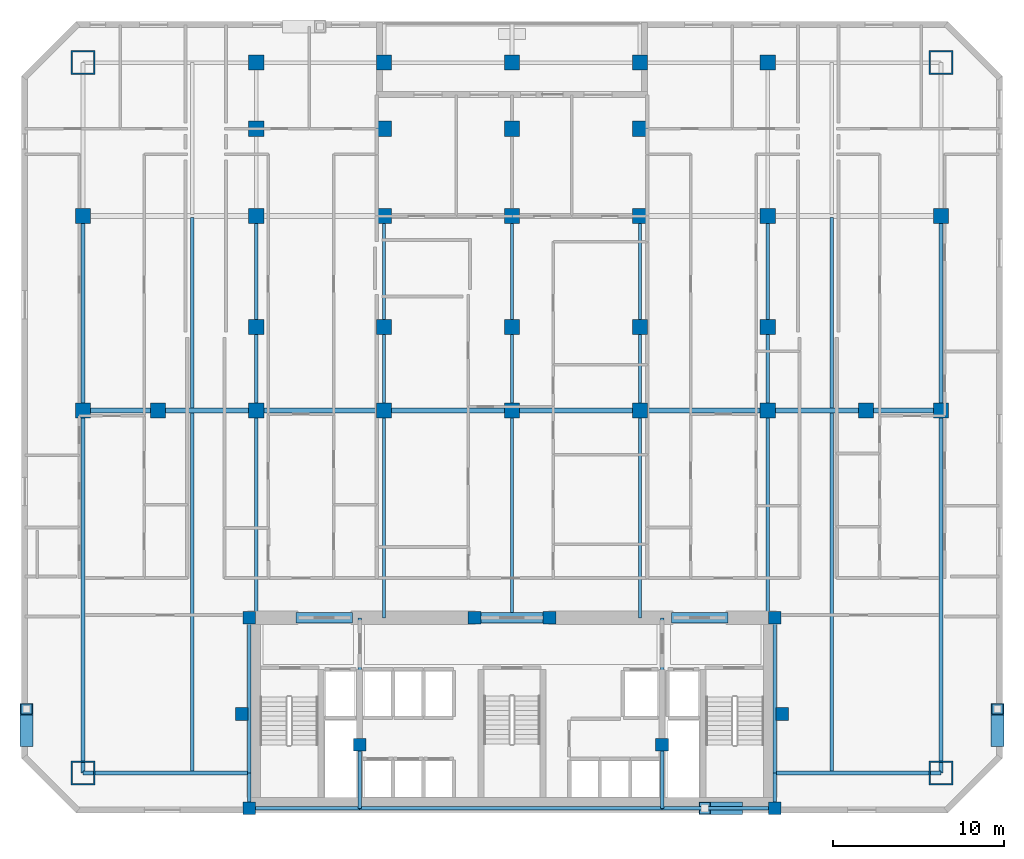
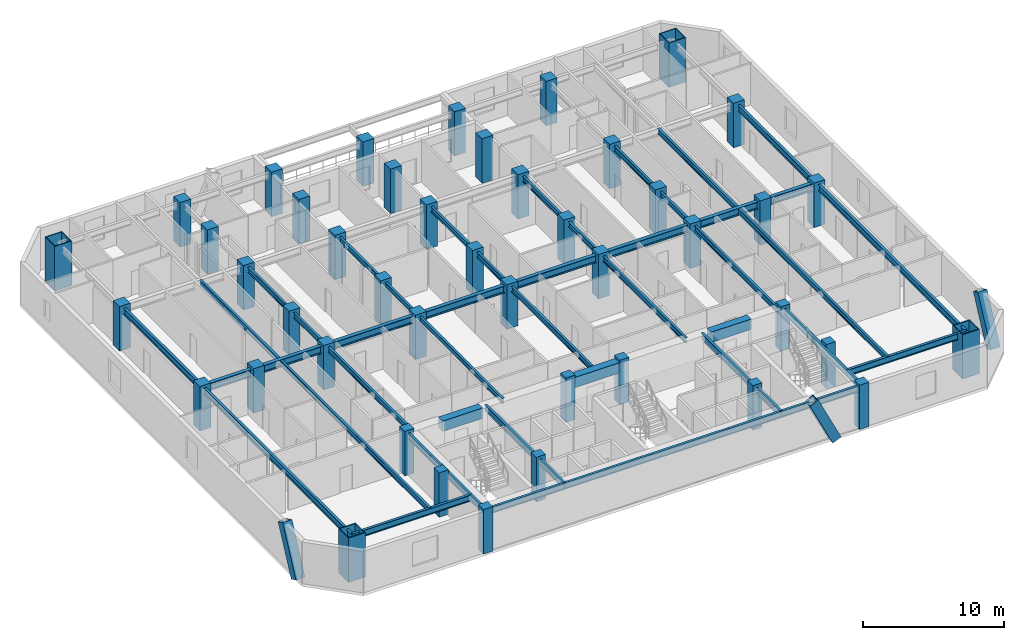
# One storey, part 1 of 10: 44 columns, 42 beams, 3 members.
"""IFC4 building model written with IfcOpenShell, lengths in metres."""

from ifc_helpers import new_model, si_unit, direction, frame, origin, origin_2d, place, context, subcontext, project, spatial, rectangle, hollow_rectangle, i_section, extrude, material, material_profile, profile_set, type_object, element, save


model = new_model("IFC4")

# Units and contexts
model_context = context("Model", 3, precision=1e-05, world=origin(), true_north=direction((0.0, 1.0)))
body_context = subcontext(model_context, "Body", "Model", "MODEL_VIEW")
ifc_project = project(units=[si_unit("LENGTHUNIT", "METRE"), si_unit("AREAUNIT", "SQUARE_METRE"), si_unit("VOLUMEUNIT", "CUBIC_METRE"), si_unit("PLANEANGLEUNIT", "RADIAN"), si_unit("MASSUNIT", "GRAM", prefix="KILO")], contexts=[model_context])

# Site, building, storey
site_placement = place(None, origin())
site = spatial("IfcSite", under=ifc_project, at=site_placement, CompositionType="ELEMENT")
building_placement = place(site_placement, origin())
building = spatial("IfcBuilding", under=site, at=building_placement, Name="Ventersveld Concourse Tower", CompositionType="ELEMENT")
storey_placement = place(building_placement, frame((0.0, 0.0, 64.449951171875)))
storey = spatial("IfcBuildingStorey", under=building, at=storey_placement, Name="L15", CompositionType="ELEMENT", Elevation=64.449951171875)

# Columns
ifc_material_1 = material(Name="Concrete C50/60", Category="concrete")
ifc_material_profile_1 = material_profile(ifc_material_1, rectangle(XDim=0.75, YDim=0.75, at=origin_2d()), Name="RC 750x750")
ifc_profile_set_1 = profile_set([ifc_material_profile_1], Name="Concrete C50/60")
column_type_1 = type_object("IfcColumnType", Name="COL-RC750", PredefinedType="COLUMN", material=ifc_profile_set_1)
for number, where, z_axis, x_axis, name in (
    (1, (13.35009765625, 0.280029296875, 0.0), (0.0, 0.0, 1.0), (1.0, 0.0, 0.0), "L15 Core Spine Column CC-SW"),
    (2, (44.14990234375, 0.280029296875, 0.0), (0.0, 0.0, 1.0), (1.0, 0.0, 0.0), "L15 Core Spine Column CC-SE"),
    (3, (13.35009765625, 11.449951171875, 0.0), (0.0, 0.0, 1.0), (1.0, 0.0, 0.0), "L15 Core Spine Column CC-NW"),
    (4, (44.14990234375, 11.449951171875, 0.0), (0.0, 0.0, 1.0), (1.0, 0.0, 0.0), "L15 Core Spine Column CC-NE"),
    (5, (19.820068359375, 4.0, 0.0), (0.0, 0.0, 1.0), (1.0, 0.0, 0.0), "L15 Core Spine Column CM-1"),
    (6, (37.550048828125, 4.0, 0.0), (0.0, 0.0, 1.0), (1.0, 0.0, 0.0), "L15 Core Spine Column CM-2"),
    (7, (26.550048828125, 11.449951171875, 0.0), (0.0, 0.0, 1.0), (1.0, 0.0, 0.0), "L15 Core Spine Column CM-3"),
    (8, (30.949951171875, 11.449951171875, 0.0), (0.0, 0.0, 1.0), (1.0, 0.0, 0.0), "L15 Core Spine Column CM-4"),
):
    element("IfcColumn", number, at=place(storey_placement, frame(where, z_axis=z_axis, x_axis=x_axis)), inside=storey, type_object=column_type_1, Name=name, PredefinedType="COLUMN", context=body_context, shape_type="SweptSolid", body=[
        extrude(rectangle(XDim=0.75, YDim=0.75, at=origin_2d()), origin(), (0.0, 0.0, 1.0), 3.85009765625),
    ])
ifc_material_2 = material(Name="Concrete C60/75", Category="concrete")
ifc_material_profile_2 = material_profile(ifc_material_2, rectangle(XDim=0.89990234375, YDim=0.89990234375, at=origin_2d()), Name="RC 900x900")
ifc_profile_set_2 = profile_set([ifc_material_profile_2], Name="Concrete C60/75")
column_type_2 = type_object("IfcColumnType", Name="COL-RC900", PredefinedType="COLUMN", material=ifc_profile_set_2)
for number, where, z_axis, x_axis, name in (
    (9, (3.60009765625, 23.60009765625, 0.0), (0.0, 0.0, 1.0), (1.0, 0.0, 0.0), "L15 Interior Gravity Column X=3.60 Y=23.60"),
    (10, (8.0, 23.60009765625, 0.0), (0.0, 0.0, 1.0), (1.0, 0.0, 0.0), "L15 Interior Gravity Column X=8.00 Y=23.60"),
    (11, (13.75, 23.60009765625, 0.0), (0.0, 0.0, 1.0), (1.0, 0.0, 0.0), "L15 Interior Gravity Column X=13.75 Y=23.60"),
    (12, (21.25, 23.60009765625, 0.0), (0.0, 0.0, 1.0), (1.0, 0.0, 0.0), "L15 Interior Gravity Column X=21.25 Y=23.60"),
    (13, (28.75, 23.60009765625, 0.0), (0.0, 0.0, 1.0), (1.0, 0.0, 0.0), "L15 Interior Gravity Column X=28.75 Y=23.60"),
    (14, (36.25, 23.60009765625, 0.0), (0.0, 0.0, 1.0), (1.0, 0.0, 0.0), "L15 Interior Gravity Column X=36.25 Y=23.60"),
    (15, (43.75, 23.60009765625, 0.0), (0.0, 0.0, 1.0), (1.0, 0.0, 0.0), "L15 Interior Gravity Column X=43.75 Y=23.60"),
    (16, (49.5, 23.60009765625, 0.0), (0.0, 0.0, 1.0), (1.0, 0.0, 0.0), "L15 Interior Gravity Column X=49.50 Y=23.60"),
    (17, (53.89990234375, 23.60009765625, 0.0), (0.0, 0.0, 1.0), (1.0, 0.0, 0.0), "L15 Interior Gravity Column X=53.90 Y=23.60"),
    (18, (13.75, 28.5, 0.0), (0.0, 0.0, 1.0), (1.0, 0.0, 0.0), "L15 Upper-North Gravity Column X=13.75 Y=28.50"),
    (19, (21.25, 28.5, 0.0), (0.0, 0.0, 1.0), (1.0, 0.0, 0.0), "L15 Upper-North Gravity Column X=21.25 Y=28.50"),
    (20, (28.75, 28.5, 0.0), (0.0, 0.0, 1.0), (1.0, 0.0, 0.0), "L15 Upper-North Gravity Column X=28.75 Y=28.50"),
    (21, (36.25, 28.5, 0.0), (0.0, 0.0, 1.0), (1.0, 0.0, 0.0), "L15 Upper-North Gravity Column X=36.25 Y=28.50"),
    (22, (43.75, 28.5, 0.0), (0.0, 0.0, 1.0), (1.0, 0.0, 0.0), "L15 Upper-North Gravity Column X=43.75 Y=28.50"),
    (23, (3.60009765625, 35.0, 0.0), (0.0, 0.0, 1.0), (1.0, 0.0, 0.0), "L15 Flank Column X=3.60 Y=35.00"),
    (24, (53.89990234375, 35.0, 0.0), (0.0, 0.0, 1.0), (1.0, 0.0, 0.0), "L15 Flank Column X=53.90 Y=35.00"),
    (25, (13.75, 44.0, 0.0), (0.0, 0.0, 1.0), (1.0, 0.0, 0.0), "L15 North Perimeter Column X=13.75 Y=44.00"),
    (26, (21.25, 44.0, 0.0), (0.0, 0.0, 1.0), (1.0, 0.0, 0.0), "L15 North Perimeter Column X=21.25 Y=44.00"),
    (27, (28.75, 44.0, 0.0), (0.0, 0.0, 1.0), (1.0, 0.0, 0.0), "L15 North Perimeter Column X=28.75 Y=44.00"),
    (28, (36.25, 44.0, 0.0), (0.0, 0.0, 1.0), (1.0, 0.0, 0.0), "L15 North Perimeter Column X=36.25 Y=44.00"),
    (29, (43.75, 44.0, 0.0), (0.0, 0.0, 1.0), (1.0, 0.0, 0.0), "L15 North Perimeter Column X=43.75 Y=44.00"),
    (30, (13.75, 40.1201171875, 0.0), (0.0, 0.0, 1.0), (1.0, 0.0, 0.0), "L15 North Brace Node Column X=13.75 Y=40.12"),
    (31, (21.25, 40.1201171875, 0.0), (0.0, 0.0, 1.0), (1.0, 0.0, 0.0), "L15 North Brace Node Column X=21.25 Y=40.12"),
    (32, (28.75, 40.1201171875, 0.0), (0.0, 0.0, 1.0), (1.0, 0.0, 0.0), "L15 North Brace Node Column X=28.75 Y=40.12"),
    (33, (36.25, 40.1201171875, 0.0), (0.0, 0.0, 1.0), (1.0, 0.0, 0.0), "L15 North Brace Node Column X=36.25 Y=40.12"),
    (34, (13.75, 35.0, 0.0), (0.0, 0.0, 1.0), (1.0, 0.0, 0.0), "L15 Mid-North Column X=13.75 Y=35.00"),
    (35, (21.25, 35.0, 0.0), (0.0, 0.0, 1.0), (1.0, 0.0, 0.0), "L15 Mid-North Column X=21.25 Y=35.00"),
    (36, (28.75, 35.0, 0.0), (0.0, 0.0, 1.0), (1.0, 0.0, 0.0), "L15 Mid-North Column X=28.75 Y=35.00"),
    (37, (36.25, 35.0, 0.0), (0.0, 0.0, 1.0), (1.0, 0.0, 0.0), "L15 Mid-North Column X=36.25 Y=35.00"),
    (38, (43.75, 35.0, 0.0), (0.0, 0.0, 1.0), (1.0, 0.0, 0.0), "L15 Mid-North Column X=43.75 Y=35.00"),
):
    element("IfcColumn", number, at=place(storey_placement, frame(where, z_axis=z_axis, x_axis=x_axis)), inside=storey, type_object=column_type_2, Name=name, PredefinedType="COLUMN", context=body_context, shape_type="SweptSolid", body=[
        extrude(rectangle(XDim=0.89990234375, YDim=0.89990234375, at=origin_2d()), origin(), (0.0, 0.0, 1.0), 3.85009765625),
    ])
ifc_material_3 = material(Name="Structural steel S460ML", Category="steel")
ifc_material_profile_3 = material_profile(ifc_material_3, hollow_rectangle(XDim=1.39990234375, YDim=1.39990234375, WallThickness=0.080078125, at=origin_2d()), Name="BOX 1400x1400x80")
ifc_profile_set_3 = profile_set([ifc_material_profile_3], Name="Structural steel S460ML")
column_type_3 = type_object("IfcColumnType", Name="MC-1400", PredefinedType="USERDEFINED", material=ifc_profile_set_3)
for number, where, z_axis, x_axis, name in (
    (39, (3.60009765625, 2.35009765625, 0.0), (0.0, 0.0, 1.0), (1.0, 0.0, 0.0), "L15 Corner Mega-Column MC-SW"),
    (40, (53.89990234375, 2.35009765625, 0.0), (0.0, 0.0, 1.0), (1.0, 0.0, 0.0), "L15 Corner Mega-Column MC-SE"),
    (41, (53.89990234375, 44.0, 0.0), (0.0, 0.0, 1.0), (1.0, 0.0, 0.0), "L15 Corner Mega-Column MC-NE"),
    (42, (3.60009765625, 44.0, 0.0), (0.0, 0.0, 1.0), (1.0, 0.0, 0.0), "L15 Corner Mega-Column MC-NW"),
):
    element("IfcColumn", number, at=place(storey_placement, frame(where, z_axis=z_axis, x_axis=x_axis)), inside=storey, type_object=column_type_3, Name=name, ObjectType="MEGA_COLUMN", PredefinedType="USERDEFINED", context=body_context, shape_type="SweptSolid", body=[
        extrude(hollow_rectangle(XDim=1.39990234375, YDim=1.39990234375, WallThickness=0.080078125, at=origin_2d()), origin(), (0.0, 0.0, 1.0), 3.85009765625),
    ])
ifc_material_profile_4 = material_profile(ifc_material_1, rectangle(XDim=0.75, YDim=0.75, at=origin_2d()), Name="RC 750x750")
ifc_profile_set_4 = profile_set([ifc_material_profile_4], Name="Concrete C50/60")
column_type_4 = type_object("IfcColumnType", Name="PIL-RC750", PredefinedType="PILASTER", material=ifc_profile_set_4)
for number, where, z_axis, x_axis, name in (
    (43, (12.89990234375, 5.800048828125, 0.0), (0.0, 0.0, 1.0), (1.0, 0.0, 0.0), "L15 Core Engaged Pilaster PIL-W"),
    (44, (44.60009765625, 5.800048828125, 0.0), (0.0, 0.0, 1.0), (1.0, 0.0, 0.0), "L15 Core Engaged Pilaster PIL-E"),
):
    element("IfcColumn", number, at=place(storey_placement, frame(where, z_axis=z_axis, x_axis=x_axis)), inside=storey, type_object=column_type_4, Name=name, PredefinedType="PILASTER", context=body_context, shape_type="SweptSolid", body=[
        extrude(rectangle(XDim=0.75, YDim=0.75, at=origin_2d()), origin(), (0.0, 0.0, 1.0), 3.85009765625),
    ])

# Beams
ifc_material_4 = material(Name="Structural steel S355J2", Category="steel")
ifc_material_profile_5 = material_profile(ifc_material_4, i_section(OverallWidth=0.19140625, OverallDepth=0.4599609375, WebThickness=0.010009765625, FlangeThickness=0.01611328125, FilletRadius=0.01025390625, at=origin_2d()), Name="UB 457x191x82")
ifc_profile_set_5 = profile_set([ifc_material_profile_5], Name="Structural steel S355J2")
beam_type_1 = type_object("IfcBeamType", Name="BM-UB457H", PredefinedType="BEAM", material=ifc_profile_set_5)
beam_1_placement = place(storey_placement, frame((10.0, 2.35009765625, 3.3701171875), z_axis=(0.0, 1.0, 0.0), x_axis=(-1.0, 0.0, 0.0)))
element("IfcBeam", 45, at=beam_1_placement, inside=storey, type_object=beam_type_1, Name="L15 N-S Composite Floor Beam South X=10.00", PredefinedType="BEAM", context=body_context, shape_type="SweptSolid", body=[
    extrude(i_section(OverallWidth=0.19140625, OverallDepth=0.4599609375, WebThickness=0.010009765625, FlangeThickness=0.01611328125, FilletRadius=0.01025390625, at=origin_2d()), origin(), (0.0, 0.0, 1.0), 21.15478515625),
])
beam_2_placement = place(storey_placement, frame((10.0, 23.695068359375, 3.3701171875), z_axis=(0.0, 1.0, 0.0), x_axis=(-1.0, 0.0, 0.0)))
element("IfcBeam", 46, at=beam_2_placement, inside=storey, type_object=beam_type_1, Name="L15 N-S Composite Floor Beam Mid X=10.00", PredefinedType="BEAM", context=body_context, shape_type="SweptSolid", body=[
    extrude(i_section(OverallWidth=0.19140625, OverallDepth=0.4599609375, WebThickness=0.010009765625, FlangeThickness=0.01611328125, FilletRadius=0.01025390625, at=origin_2d()), origin(), (0.0, 0.0, 1.0), 11.2099609375),
])
beam_3_placement = place(storey_placement, frame((13.75, 11.449951171875, 3.3701171875), z_axis=(0.0, 1.0, 0.0), x_axis=(-1.0, 0.0, 0.0)))
element("IfcBeam", 47, at=beam_3_placement, inside=storey, type_object=beam_type_1, Name="L15 N-S Composite Floor Beam South X=13.75", PredefinedType="BEAM", context=body_context, shape_type="SweptSolid", body=[
    extrude(i_section(OverallWidth=0.19140625, OverallDepth=0.4599609375, WebThickness=0.010009765625, FlangeThickness=0.01611328125, FilletRadius=0.01025390625, at=origin_2d()), origin(), (0.0, 0.0, 1.0), 12.150146484375),
])
beam_4_placement = place(storey_placement, frame((13.75, 23.60009765625, 3.3701171875), z_axis=(0.0, 1.0, 0.0), x_axis=(-1.0, 0.0, 0.0)))
element("IfcBeam", 48, at=beam_4_placement, inside=storey, type_object=beam_type_1, Name="L15 N-S Composite Floor Beam Mid X=13.75", PredefinedType="BEAM", context=body_context, shape_type="SweptSolid", body=[
    extrude(i_section(OverallWidth=0.19140625, OverallDepth=0.4599609375, WebThickness=0.010009765625, FlangeThickness=0.01611328125, FilletRadius=0.01025390625, at=origin_2d()), origin(), (0.0, 0.0, 1.0), 11.39990234375),
])
beam_5_placement = place(storey_placement, frame((21.25, 11.449951171875, 3.3701171875), z_axis=(0.0, 1.0, 0.0), x_axis=(-1.0, 0.0, 0.0)))
element("IfcBeam", 49, at=beam_5_placement, inside=storey, type_object=beam_type_1, Name="L15 N-S Composite Floor Beam South X=21.25", PredefinedType="BEAM", context=body_context, shape_type="SweptSolid", body=[
    extrude(i_section(OverallWidth=0.19140625, OverallDepth=0.4599609375, WebThickness=0.010009765625, FlangeThickness=0.01611328125, FilletRadius=0.01025390625, at=origin_2d()), origin(), (0.0, 0.0, 1.0), 12.150146484375),
])
beam_6_placement = place(storey_placement, frame((21.25, 23.60009765625, 3.3701171875), z_axis=(0.0, 1.0, 0.0), x_axis=(-1.0, 0.0, 0.0)))
element("IfcBeam", 50, at=beam_6_placement, inside=storey, type_object=beam_type_1, Name="L15 N-S Composite Floor Beam Mid X=21.25", PredefinedType="BEAM", context=body_context, shape_type="SweptSolid", body=[
    extrude(i_section(OverallWidth=0.19140625, OverallDepth=0.4599609375, WebThickness=0.010009765625, FlangeThickness=0.01611328125, FilletRadius=0.01025390625, at=origin_2d()), origin(), (0.0, 0.0, 1.0), 11.39990234375),
])
beam_7_placement = place(storey_placement, frame((28.75, 11.449951171875, 3.3701171875), z_axis=(0.0, 1.0, 0.0), x_axis=(-1.0, 0.0, 0.0)))
element("IfcBeam", 51, at=beam_7_placement, inside=storey, type_object=beam_type_1, Name="L15 N-S Composite Floor Beam South X=28.75", PredefinedType="BEAM", context=body_context, shape_type="SweptSolid", body=[
    extrude(i_section(OverallWidth=0.19140625, OverallDepth=0.4599609375, WebThickness=0.010009765625, FlangeThickness=0.01611328125, FilletRadius=0.01025390625, at=origin_2d()), origin(), (0.0, 0.0, 1.0), 12.150146484375),
])
beam_8_placement = place(storey_placement, frame((28.75, 23.60009765625, 3.3701171875), z_axis=(0.0, 1.0, 0.0), x_axis=(-1.0, 0.0, 0.0)))
element("IfcBeam", 52, at=beam_8_placement, inside=storey, type_object=beam_type_1, Name="L15 N-S Composite Floor Beam Mid X=28.75", PredefinedType="BEAM", context=body_context, shape_type="SweptSolid", body=[
    extrude(i_section(OverallWidth=0.19140625, OverallDepth=0.4599609375, WebThickness=0.010009765625, FlangeThickness=0.01611328125, FilletRadius=0.01025390625, at=origin_2d()), origin(), (0.0, 0.0, 1.0), 11.39990234375),
])
beam_9_placement = place(storey_placement, frame((36.25, 11.449951171875, 3.3701171875), z_axis=(0.0, 1.0, 0.0), x_axis=(-1.0, 0.0, 0.0)))
element("IfcBeam", 53, at=beam_9_placement, inside=storey, type_object=beam_type_1, Name="L15 N-S Composite Floor Beam South X=36.25", PredefinedType="BEAM", context=body_context, shape_type="SweptSolid", body=[
    extrude(i_section(OverallWidth=0.19140625, OverallDepth=0.4599609375, WebThickness=0.010009765625, FlangeThickness=0.01611328125, FilletRadius=0.01025390625, at=origin_2d()), origin(), (0.0, 0.0, 1.0), 12.150146484375),
])
beam_10_placement = place(storey_placement, frame((36.25, 23.60009765625, 3.3701171875), z_axis=(0.0, 1.0, 0.0), x_axis=(-1.0, 0.0, 0.0)))
element("IfcBeam", 54, at=beam_10_placement, inside=storey, type_object=beam_type_1, Name="L15 N-S Composite Floor Beam Mid X=36.25", PredefinedType="BEAM", context=body_context, shape_type="SweptSolid", body=[
    extrude(i_section(OverallWidth=0.19140625, OverallDepth=0.4599609375, WebThickness=0.010009765625, FlangeThickness=0.01611328125, FilletRadius=0.01025390625, at=origin_2d()), origin(), (0.0, 0.0, 1.0), 11.39990234375),
])
beam_11_placement = place(storey_placement, frame((43.75, 11.449951171875, 3.3701171875), z_axis=(0.0, 1.0, 0.0), x_axis=(-1.0, 0.0, 0.0)))
element("IfcBeam", 55, at=beam_11_placement, inside=storey, type_object=beam_type_1, Name="L15 N-S Composite Floor Beam South X=43.75", PredefinedType="BEAM", context=body_context, shape_type="SweptSolid", body=[
    extrude(i_section(OverallWidth=0.19140625, OverallDepth=0.4599609375, WebThickness=0.010009765625, FlangeThickness=0.01611328125, FilletRadius=0.01025390625, at=origin_2d()), origin(), (0.0, 0.0, 1.0), 12.150146484375),
])
beam_12_placement = place(storey_placement, frame((43.75, 23.60009765625, 3.3701171875), z_axis=(0.0, 1.0, 0.0), x_axis=(-1.0, 0.0, 0.0)))
element("IfcBeam", 56, at=beam_12_placement, inside=storey, type_object=beam_type_1, Name="L15 N-S Composite Floor Beam Mid X=43.75", PredefinedType="BEAM", context=body_context, shape_type="SweptSolid", body=[
    extrude(i_section(OverallWidth=0.19140625, OverallDepth=0.4599609375, WebThickness=0.010009765625, FlangeThickness=0.01611328125, FilletRadius=0.01025390625, at=origin_2d()), origin(), (0.0, 0.0, 1.0), 11.39990234375),
])
beam_13_placement = place(storey_placement, frame((47.5, 2.35009765625, 3.3701171875), z_axis=(0.0, 1.0, 0.0), x_axis=(-1.0, 0.0, 0.0)))
element("IfcBeam", 57, at=beam_13_placement, inside=storey, type_object=beam_type_1, Name="L15 N-S Composite Floor Beam South X=47.50", PredefinedType="BEAM", context=body_context, shape_type="SweptSolid", body=[
    extrude(i_section(OverallWidth=0.19140625, OverallDepth=0.4599609375, WebThickness=0.010009765625, FlangeThickness=0.01611328125, FilletRadius=0.01025390625, at=origin_2d()), origin(), (0.0, 0.0, 1.0), 21.15478515625),
])
beam_14_placement = place(storey_placement, frame((47.5, 23.695068359375, 3.3701171875), z_axis=(0.0, 1.0, 0.0), x_axis=(-1.0, 0.0, 0.0)))
element("IfcBeam", 58, at=beam_14_placement, inside=storey, type_object=beam_type_1, Name="L15 N-S Composite Floor Beam Mid X=47.50", PredefinedType="BEAM", context=body_context, shape_type="SweptSolid", body=[
    extrude(i_section(OverallWidth=0.19140625, OverallDepth=0.4599609375, WebThickness=0.010009765625, FlangeThickness=0.01611328125, FilletRadius=0.01025390625, at=origin_2d()), origin(), (0.0, 0.0, 1.0), 11.2099609375),
])
ifc_material_profile_6 = material_profile(ifc_material_2, rectangle(XDim=0.60009765625, YDim=0.89990234375, at=origin_2d()), Name="RC 600x900")
ifc_profile_set_6 = profile_set([ifc_material_profile_6], Name="Concrete C60/75")
beam_type_2 = type_object("IfcBeamType", Name="CB-RC600x900L", PredefinedType="LINTEL", material=ifc_profile_set_6)
beam_15_placement = place(storey_placement, frame((16.10009765625, 11.449951171875, 3.150146484375), z_axis=(1.0, 0.0, 0.0), x_axis=(0.0, 1.0, 0.0)))
element("IfcBeam", 59, at=beam_15_placement, inside=storey, type_object=beam_type_2, Name="L15 Core Coupling Lintel Beam 1", PredefinedType="LINTEL", context=body_context, shape_type="SweptSolid", body=[
    extrude(rectangle(XDim=0.60009765625, YDim=0.89990234375, at=origin_2d()), origin(), (0.0, 0.0, 1.0), 3.2998046875),
])
beam_16_placement = place(storey_placement, frame((26.5, 11.449951171875, 3.150146484375), z_axis=(1.0, 0.0, 0.0), x_axis=(0.0, 1.0, 0.0)))
element("IfcBeam", 60, at=beam_16_placement, inside=storey, type_object=beam_type_2, Name="L15 Core Coupling Lintel Beam 2", PredefinedType="LINTEL", context=body_context, shape_type="SweptSolid", body=[
    extrude(rectangle(XDim=0.60009765625, YDim=0.89990234375, at=origin_2d()), origin(), (0.0, 0.0, 1.0), 4.5),
])
beam_17_placement = place(storey_placement, frame((38.10009765625, 11.449951171875, 3.150146484375), z_axis=(1.0, 0.0, 0.0), x_axis=(0.0, 1.0, 0.0)))
element("IfcBeam", 61, at=beam_17_placement, inside=storey, type_object=beam_type_2, Name="L15 Core Coupling Lintel Beam 3", PredefinedType="LINTEL", context=body_context, shape_type="SweptSolid", body=[
    extrude(rectangle(XDim=0.60009765625, YDim=0.89990234375, at=origin_2d()), origin(), (0.0, 0.0, 1.0), 3.2998046875),
])
ifc_material_profile_7 = material_profile(ifc_material_4, i_section(OverallWidth=0.2119140625, OverallDepth=0.54443359375, WebThickness=0.0126953125, FlangeThickness=0.021240234375, FilletRadius=0.0126953125, at=origin_2d()), Name="UB 533x210x122")
ifc_profile_set_7 = profile_set([ifc_material_profile_7], Name="Structural steel S355J2")
beam_type_3 = type_object("IfcBeamType", Name="GRD-UB533H", PredefinedType="T_BEAM", material=ifc_profile_set_7)
beam_18_placement = place(storey_placement, frame((13.35009765625, 0.280029296875, 3.32763671875), z_axis=(0.0, 1.0, 0.0), x_axis=(-1.0, 0.0, 0.0)))
element("IfcBeam", 62, at=beam_18_placement, inside=storey, type_object=beam_type_3, Name="L15 Core West Tie Beam S", PredefinedType="T_BEAM", context=body_context, shape_type="SweptSolid", body=[
    extrude(i_section(OverallWidth=0.2119140625, OverallDepth=0.54443359375, WebThickness=0.0126953125, FlangeThickness=0.021240234375, FilletRadius=0.0126953125, at=origin_2d()), origin(), (0.0, 0.0, 1.0), 2.070068359375),
])
beam_19_placement = place(storey_placement, frame((13.35009765625, 2.35009765625, 3.32763671875), z_axis=(0.0, 1.0, 0.0), x_axis=(-1.0, 0.0, 0.0)))
element("IfcBeam", 63, at=beam_19_placement, inside=storey, type_object=beam_type_3, Name="L15 Core West Tie Beam N", PredefinedType="T_BEAM", context=body_context, shape_type="SweptSolid", body=[
    extrude(i_section(OverallWidth=0.2119140625, OverallDepth=0.54443359375, WebThickness=0.0126953125, FlangeThickness=0.021240234375, FilletRadius=0.0126953125, at=origin_2d()), origin(), (0.0, 0.0, 1.0), 9.099853515625),
])
beam_20_placement = place(storey_placement, frame((44.14990234375, 0.280029296875, 3.32763671875), z_axis=(0.0, 1.0, 0.0), x_axis=(-1.0, 0.0, 0.0)))
element("IfcBeam", 64, at=beam_20_placement, inside=storey, type_object=beam_type_3, Name="L15 Core East Tie Beam S", PredefinedType="T_BEAM", context=body_context, shape_type="SweptSolid", body=[
    extrude(i_section(OverallWidth=0.2119140625, OverallDepth=0.54443359375, WebThickness=0.0126953125, FlangeThickness=0.021240234375, FilletRadius=0.0126953125, at=origin_2d()), origin(), (0.0, 0.0, 1.0), 2.070068359375),
])
beam_21_placement = place(storey_placement, frame((44.14990234375, 2.35009765625, 3.32763671875), z_axis=(0.0, 1.0, 0.0), x_axis=(-1.0, 0.0, 0.0)))
element("IfcBeam", 65, at=beam_21_placement, inside=storey, type_object=beam_type_3, Name="L15 Core East Tie Beam N", PredefinedType="T_BEAM", context=body_context, shape_type="SweptSolid", body=[
    extrude(i_section(OverallWidth=0.2119140625, OverallDepth=0.54443359375, WebThickness=0.0126953125, FlangeThickness=0.021240234375, FilletRadius=0.0126953125, at=origin_2d()), origin(), (0.0, 0.0, 1.0), 9.099853515625),
])
beam_22_placement = place(storey_placement, frame((13.35009765625, 0.280029296875, 3.32763671875), z_axis=(1.0, 0.0, 0.0), x_axis=(0.0, 1.0, 0.0)))
element("IfcBeam", 66, at=beam_22_placement, inside=storey, type_object=beam_type_3, Name="L15 Core South Tie Beam W", PredefinedType="T_BEAM", context=body_context, shape_type="SweptSolid", body=[
    extrude(i_section(OverallWidth=0.2119140625, OverallDepth=0.54443359375, WebThickness=0.0126953125, FlangeThickness=0.021240234375, FilletRadius=0.0126953125, at=origin_2d()), origin(), (0.0, 0.0, 1.0), 6.469970703125),
])
beam_23_placement = place(storey_placement, frame((19.820068359375, 0.280029296875, 3.32763671875), z_axis=(1.0, 0.0, 0.0), x_axis=(0.0, 1.0, 0.0)))
element("IfcBeam", 67, at=beam_23_placement, inside=storey, type_object=beam_type_3, Name="L15 Core South Tie Beam C", PredefinedType="T_BEAM", context=body_context, shape_type="SweptSolid", body=[
    extrude(i_section(OverallWidth=0.2119140625, OverallDepth=0.54443359375, WebThickness=0.0126953125, FlangeThickness=0.021240234375, FilletRadius=0.0126953125, at=origin_2d()), origin(), (0.0, 0.0, 1.0), 17.72998046875),
])
beam_24_placement = place(storey_placement, frame((37.550048828125, 0.280029296875, 3.32763671875), z_axis=(1.0, 0.0, 0.0), x_axis=(0.0, 1.0, 0.0)))
element("IfcBeam", 68, at=beam_24_placement, inside=storey, type_object=beam_type_3, Name="L15 Core South Tie Beam E", PredefinedType="T_BEAM", context=body_context, shape_type="SweptSolid", body=[
    extrude(i_section(OverallWidth=0.2119140625, OverallDepth=0.54443359375, WebThickness=0.0126953125, FlangeThickness=0.021240234375, FilletRadius=0.0126953125, at=origin_2d()), origin(), (0.0, 0.0, 1.0), 6.599853515625),
])
beam_25_placement = place(storey_placement, frame((19.820068359375, 0.280029296875, 3.32763671875), z_axis=(0.0, 1.0, 0.0), x_axis=(-1.0, 0.0, 0.0)))
element("IfcBeam", 69, at=beam_25_placement, inside=storey, type_object=beam_type_3, Name="L15 Core Spine N-S Tie Beam W1", PredefinedType="T_BEAM", context=body_context, shape_type="SweptSolid", body=[
    extrude(i_section(OverallWidth=0.2119140625, OverallDepth=0.54443359375, WebThickness=0.0126953125, FlangeThickness=0.021240234375, FilletRadius=0.0126953125, at=origin_2d()), origin(), (0.0, 0.0, 1.0), 3.719970703125),
])
beam_26_placement = place(storey_placement, frame((19.820068359375, 4.0, 3.32763671875), z_axis=(0.0, 1.0, 0.0), x_axis=(-1.0, 0.0, 0.0)))
element("IfcBeam", 70, at=beam_26_placement, inside=storey, type_object=beam_type_3, Name="L15 Core Spine N-S Tie Beam W2", PredefinedType="T_BEAM", context=body_context, shape_type="SweptSolid", body=[
    extrude(i_section(OverallWidth=0.2119140625, OverallDepth=0.54443359375, WebThickness=0.0126953125, FlangeThickness=0.021240234375, FilletRadius=0.0126953125, at=origin_2d()), origin(), (0.0, 0.0, 1.0), 7.449951171875),
])
beam_27_placement = place(storey_placement, frame((37.550048828125, 0.280029296875, 3.32763671875), z_axis=(0.0, 1.0, 0.0), x_axis=(-1.0, 0.0, 0.0)))
element("IfcBeam", 71, at=beam_27_placement, inside=storey, type_object=beam_type_3, Name="L15 Core Spine N-S Tie Beam E1", PredefinedType="T_BEAM", context=body_context, shape_type="SweptSolid", body=[
    extrude(i_section(OverallWidth=0.2119140625, OverallDepth=0.54443359375, WebThickness=0.0126953125, FlangeThickness=0.021240234375, FilletRadius=0.0126953125, at=origin_2d()), origin(), (0.0, 0.0, 1.0), 3.719970703125),
])
beam_28_placement = place(storey_placement, frame((37.550048828125, 4.0, 3.32763671875), z_axis=(0.0, 1.0, 0.0), x_axis=(-1.0, 0.0, 0.0)))
element("IfcBeam", 72, at=beam_28_placement, inside=storey, type_object=beam_type_3, Name="L15 Core Spine N-S Tie Beam E2", PredefinedType="T_BEAM", context=body_context, shape_type="SweptSolid", body=[
    extrude(i_section(OverallWidth=0.2119140625, OverallDepth=0.54443359375, WebThickness=0.0126953125, FlangeThickness=0.021240234375, FilletRadius=0.0126953125, at=origin_2d()), origin(), (0.0, 0.0, 1.0), 7.449951171875),
])
ifc_material_profile_8 = material_profile(ifc_material_4, i_section(OverallWidth=0.311279296875, OverallDepth=0.6357421875, WebThickness=0.018310546875, FlangeThickness=0.031494140625, FilletRadius=0.0166015625, at=origin_2d()), Name="UB 610x305x238")
ifc_profile_set_8 = profile_set([ifc_material_profile_8], Name="Structural steel S355J2")
beam_type_4 = type_object("IfcBeamType", Name="GRD-UB610H", PredefinedType="USERDEFINED", material=ifc_profile_set_8)
beam_29_placement = place(storey_placement, frame((3.60009765625, 23.60009765625, 3.2822265625), z_axis=(1.0, 0.0, 0.0), x_axis=(0.0, 1.0, 0.0)))
element("IfcBeam", 73, at=beam_29_placement, inside=storey, type_object=beam_type_4, Name="L15 Primary E-W Grid Girder Y=23.60 #1", ObjectType="GIRDER", PredefinedType="USERDEFINED", context=body_context, shape_type="SweptSolid", body=[
    extrude(i_section(OverallWidth=0.311279296875, OverallDepth=0.6357421875, WebThickness=0.018310546875, FlangeThickness=0.031494140625, FilletRadius=0.0166015625, at=origin_2d()), origin(), (0.0, 0.0, 1.0), 4.39990234375),
])
beam_30_placement = place(storey_placement, frame((8.0, 23.60009765625, 3.2822265625), z_axis=(1.0, 0.0, 0.0), x_axis=(0.0, 1.0, 0.0)))
element("IfcBeam", 74, at=beam_30_placement, inside=storey, type_object=beam_type_4, Name="L15 Primary E-W Grid Girder Y=23.60 #2", ObjectType="GIRDER", PredefinedType="USERDEFINED", context=body_context, shape_type="SweptSolid", body=[
    extrude(i_section(OverallWidth=0.311279296875, OverallDepth=0.6357421875, WebThickness=0.018310546875, FlangeThickness=0.031494140625, FilletRadius=0.0166015625, at=origin_2d()), origin(), (0.0, 0.0, 1.0), 5.75),
])
for number, where, z_axis, x_axis, name in (
    (75, (13.75, 23.60009765625, 3.2822265625), (1.0, 0.0, 0.0), (0.0, 1.0, 0.0), "L15 Primary E-W Grid Girder Y=23.60 #3"),
    (76, (21.25, 23.60009765625, 3.2822265625), (1.0, 0.0, 0.0), (0.0, 1.0, 0.0), "L15 Primary E-W Grid Girder Y=23.60 #4"),
    (77, (28.75, 23.60009765625, 3.2822265625), (1.0, 0.0, 0.0), (0.0, 1.0, 0.0), "L15 Primary E-W Grid Girder Y=23.60 #5"),
    (78, (36.25, 23.60009765625, 3.2822265625), (1.0, 0.0, 0.0), (0.0, 1.0, 0.0), "L15 Primary E-W Grid Girder Y=23.60 #6"),
):
    element("IfcBeam", number, at=place(storey_placement, frame(where, z_axis=z_axis, x_axis=x_axis)), inside=storey, type_object=beam_type_4, Name=name, ObjectType="GIRDER", PredefinedType="USERDEFINED", context=body_context, shape_type="SweptSolid", body=[
        extrude(i_section(OverallWidth=0.311279296875, OverallDepth=0.6357421875, WebThickness=0.018310546875, FlangeThickness=0.031494140625, FilletRadius=0.0166015625, at=origin_2d()), origin(), (0.0, 0.0, 1.0), 7.5),
    ])
beam_31_placement = place(storey_placement, frame((43.75, 23.60009765625, 3.2822265625), z_axis=(1.0, 0.0, 0.0), x_axis=(0.0, 1.0, 0.0)))
element("IfcBeam", 79, at=beam_31_placement, inside=storey, type_object=beam_type_4, Name="L15 Primary E-W Grid Girder Y=23.60 #7", ObjectType="GIRDER", PredefinedType="USERDEFINED", context=body_context, shape_type="SweptSolid", body=[
    extrude(i_section(OverallWidth=0.311279296875, OverallDepth=0.6357421875, WebThickness=0.018310546875, FlangeThickness=0.031494140625, FilletRadius=0.0166015625, at=origin_2d()), origin(), (0.0, 0.0, 1.0), 5.75),
])
beam_32_placement = place(storey_placement, frame((49.5, 23.60009765625, 3.2822265625), z_axis=(1.0, 0.0, 0.0), x_axis=(0.0, 1.0, 0.0)))
element("IfcBeam", 80, at=beam_32_placement, inside=storey, type_object=beam_type_4, Name="L15 Primary E-W Grid Girder Y=23.60 #8", ObjectType="GIRDER", PredefinedType="USERDEFINED", context=body_context, shape_type="SweptSolid", body=[
    extrude(i_section(OverallWidth=0.311279296875, OverallDepth=0.6357421875, WebThickness=0.018310546875, FlangeThickness=0.031494140625, FilletRadius=0.0166015625, at=origin_2d()), origin(), (0.0, 0.0, 1.0), 4.39990234375),
])

# Members
ifc_material_5 = material(Name="Structural steel S355ML", Category="steel")
ifc_material_profile_9 = material_profile(ifc_material_5, hollow_rectangle(XDim=0.75, YDim=0.75, WallThickness=0.044921875, at=origin_2d()), Name="BOX 750x750x45")
ifc_profile_set_9 = profile_set([ifc_material_profile_9], Name="Structural steel S355ML")
member_type = type_object("IfcMemberType", Name="MB-750x750", PredefinedType="BRACE", material=ifc_profile_set_9)
for number, where, z_axis, x_axis, name in (
    (81, (41.925048828125, 0.280029296875, -0.25), (-0.437839464193, 0.0, 0.899053170616), (0.0, -1.0, 0.0), "L15 Exterior Mega-Brace S (Module M03)"),
    (82, (0.280029296875, 4.22509765625, -0.25), (0.0, 0.437839464193, 0.899053170616), (-1.0, 0.0, 0.0), "L15 Exterior Mega-Brace W (Module M03)"),
    (83, (57.219970703125, 4.22509765625, -0.25), (0.0, 0.437839464193, 0.899053170616), (-1.0, 0.0, 0.0), "L15 Exterior Mega-Brace E (Module M03)"),
):
    element("IfcMember", number, at=place(storey_placement, frame(where, z_axis=z_axis, x_axis=x_axis)), inside=storey, type_object=member_type, Name=name, PredefinedType="BRACE", context=body_context, shape_type="SweptSolid", body=[
        extrude(hollow_rectangle(XDim=0.75, YDim=0.75, WallThickness=0.044921875, at=origin_2d()), origin(), (0.0, 0.0, 1.0), 4.282470703125),
    ])

# Beams
ifc_material_profile_10 = material_profile(ifc_material_4, i_section(OverallWidth=0.2119140625, OverallDepth=0.54443359375, WebThickness=0.0126953125, FlangeThickness=0.021240234375, FilletRadius=0.0126953125, at=origin_2d()), Name="UB 533x210x122")
ifc_profile_set_10 = profile_set([ifc_material_profile_10], Name="Structural steel S355J2")
beam_type_5 = type_object("IfcBeamType", Name="SPD-UB533", PredefinedType="SPANDREL", material=ifc_profile_set_10)
for number, where, z_axis, x_axis, name in (
    (84, (3.60009765625, 2.35009765625, 3.32763671875), (1.0, 0.0, 0.0), (0.0, 1.0, 0.0), "L15 SW Spandrel Beam"),
    (85, (44.14990234375, 2.35009765625, 3.32763671875), (1.0, 0.0, 0.0), (0.0, 1.0, 0.0), "L15 SE Spandrel Beam"),
):
    element("IfcBeam", number, at=place(storey_placement, frame(where, z_axis=z_axis, x_axis=x_axis)), inside=storey, type_object=beam_type_5, Name=name, PredefinedType="SPANDREL", context=body_context, shape_type="SweptSolid", body=[
        extrude(i_section(OverallWidth=0.2119140625, OverallDepth=0.54443359375, WebThickness=0.0126953125, FlangeThickness=0.021240234375, FilletRadius=0.0126953125, at=origin_2d()), origin(), (0.0, 0.0, 1.0), 9.75),
    ])
beam_33_placement = place(storey_placement, frame((3.60009765625, 2.35009765625, 3.32763671875), z_axis=(0.0, 1.0, 0.0), x_axis=(-1.0, 0.0, 0.0)))
element("IfcBeam", 86, at=beam_33_placement, inside=storey, type_object=beam_type_5, Name="L15 West Spandrel Beam S", PredefinedType="SPANDREL", context=body_context, shape_type="SweptSolid", body=[
    extrude(i_section(OverallWidth=0.2119140625, OverallDepth=0.54443359375, WebThickness=0.0126953125, FlangeThickness=0.021240234375, FilletRadius=0.0126953125, at=origin_2d()), origin(), (0.0, 0.0, 1.0), 21.25),
])
beam_34_placement = place(storey_placement, frame((3.60009765625, 23.60009765625, 3.32763671875), z_axis=(0.0, 1.0, 0.0), x_axis=(-1.0, 0.0, 0.0)))
element("IfcBeam", 87, at=beam_34_placement, inside=storey, type_object=beam_type_5, Name="L15 West Spandrel Beam M", PredefinedType="SPANDREL", context=body_context, shape_type="SweptSolid", body=[
    extrude(i_section(OverallWidth=0.2119140625, OverallDepth=0.54443359375, WebThickness=0.0126953125, FlangeThickness=0.021240234375, FilletRadius=0.0126953125, at=origin_2d()), origin(), (0.0, 0.0, 1.0), 11.39990234375),
])
beam_35_placement = place(storey_placement, frame((53.89990234375, 2.35009765625, 3.32763671875), z_axis=(0.0, 1.0, 0.0), x_axis=(-1.0, 0.0, 0.0)))
element("IfcBeam", 88, at=beam_35_placement, inside=storey, type_object=beam_type_5, Name="L15 East Spandrel Beam S", PredefinedType="SPANDREL", context=body_context, shape_type="SweptSolid", body=[
    extrude(i_section(OverallWidth=0.2119140625, OverallDepth=0.54443359375, WebThickness=0.0126953125, FlangeThickness=0.021240234375, FilletRadius=0.0126953125, at=origin_2d()), origin(), (0.0, 0.0, 1.0), 21.25),
])
beam_36_placement = place(storey_placement, frame((53.89990234375, 23.60009765625, 3.32763671875), z_axis=(0.0, 1.0, 0.0), x_axis=(-1.0, 0.0, 0.0)))
element("IfcBeam", 89, at=beam_36_placement, inside=storey, type_object=beam_type_5, Name="L15 East Spandrel Beam M", PredefinedType="SPANDREL", context=body_context, shape_type="SweptSolid", body=[
    extrude(i_section(OverallWidth=0.2119140625, OverallDepth=0.54443359375, WebThickness=0.0126953125, FlangeThickness=0.021240234375, FilletRadius=0.0126953125, at=origin_2d()), origin(), (0.0, 0.0, 1.0), 11.39990234375),
])

save(model, "model.ifc")
